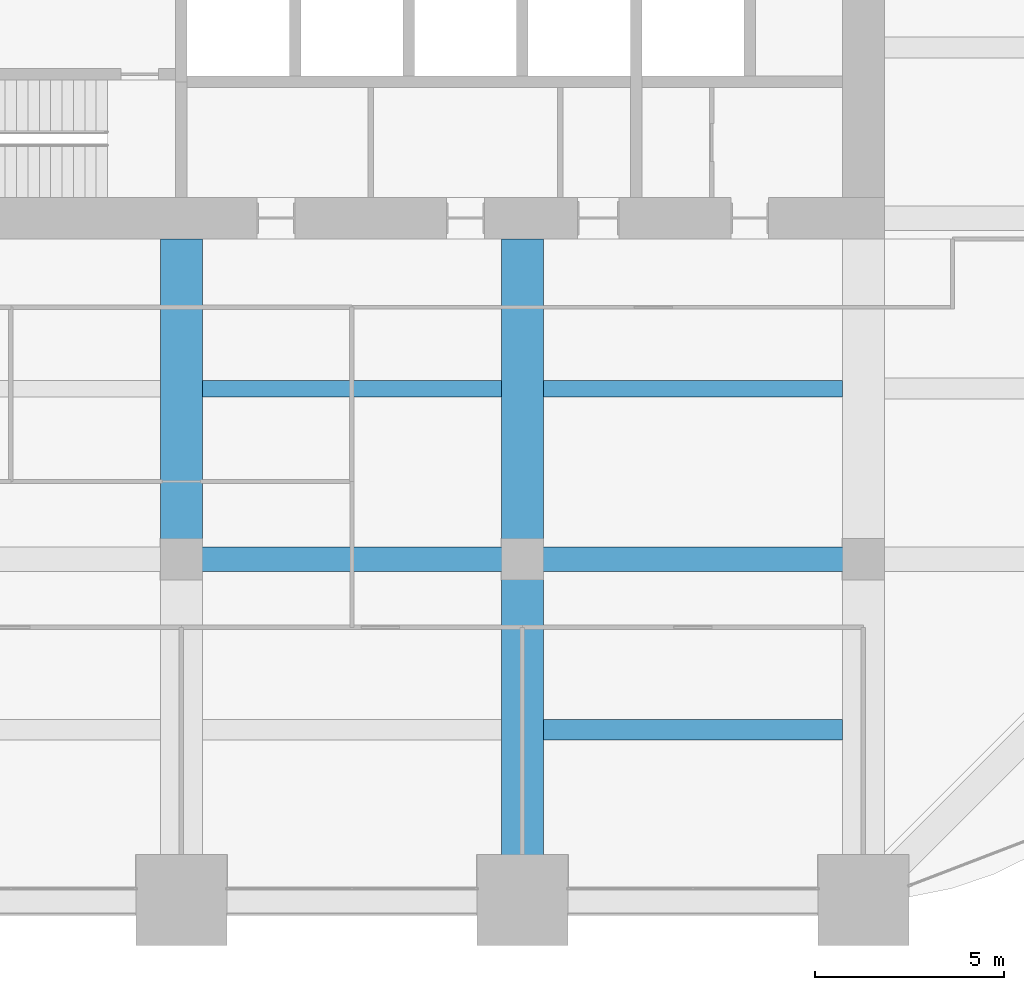
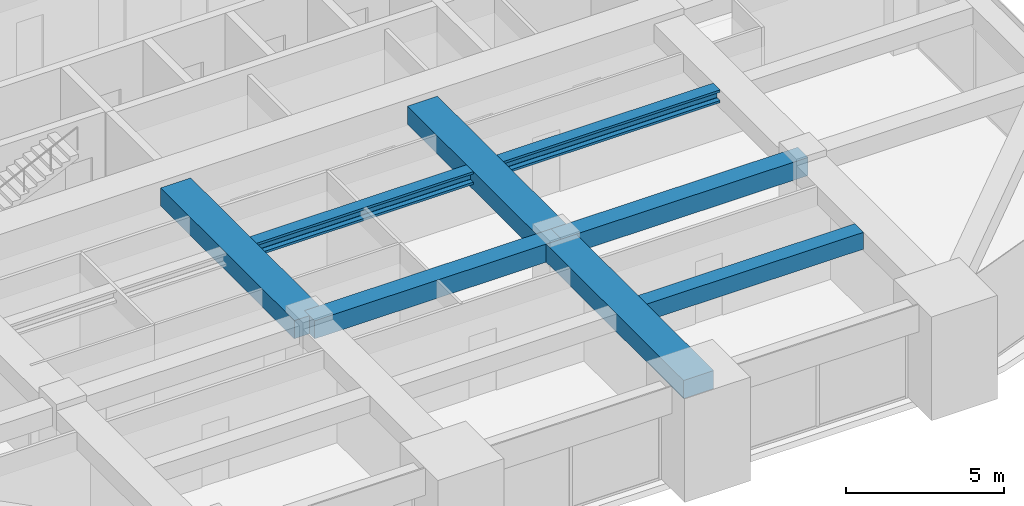
# One storey, part 12 of 45: 8 beams.
"""IFC4 building model written with IfcOpenShell, lengths in metres."""

import ifcopenshell
import ifcopenshell.guid

model = None  # the IFC model being written
_history = None  # IfcOwnerHistory: only IFC2X3 demands one
_inside = {}  # id of a spatial element -> (the spatial element, [elements in it])
_under = {}  # id of a project, library or spatial element -> (it, [spatial elements below it])
_declared = {}  # id of a project -> (the project, [libraries it declares])
_typed = {}  # id of a type object -> (the type object, [elements of that type])
_made_of = {}  # id of a material, layer set ... -> (it, [elements and type objects made of it])


def new_model(schema):
    """Start an empty IFC model of exactly this schema.

    Asked for "IFC4X3", IfcOpenShell would pick the latest addendum, in which some entities
    have other attributes; the version numbers below select the first issue.
    IFC2X3 requires an IfcOwnerHistory on every rooted entity: one is made here for all.
    """
    global model, _history
    if schema == "IFC4X3":
        model = ifcopenshell.file(schema_version=(4, 3, 0, 0))
    else:
        model = ifcopenshell.file(schema=schema)
    _inside.clear()
    _under.clear()
    _declared.clear()
    _typed.clear()
    _made_of.clear()
    _history = None
    if model.schema == "IFC2X3":
        org = make("IfcOrganization", Name="unknown")
        user = make(
            "IfcPersonAndOrganization",
            ThePerson=make("IfcPerson", FamilyName="unknown"),
            TheOrganization=org,
        )
        app = make(
            "IfcApplication",
            ApplicationDeveloper=org,
            Version="unknown",
            ApplicationFullName="unknown",
            ApplicationIdentifier="unknown",
        )
        _history = make(
            "IfcOwnerHistory",
            OwningUser=user,
            OwningApplication=app,
            ChangeAction="ADDED",
            CreationDate=0,
        )
    return model


def make(cls, **values):
    """One entity of the class cls with the attributes given. An attribute that is None is left unset."""
    return model.create_entity(
        cls, **{name: value for name, value in values.items() if value is not None}
    )


def rooted(cls, **values):
    """An entity with a GlobalId (a new one), such as an element, a storey or a relation."""
    return make(cls, GlobalId=ifcopenshell.guid.new(), OwnerHistory=_history, **values)


def si_unit(unit_type, name, prefix=None):
    """IfcSIUnit, for example si_unit("LENGTHUNIT", "METRE", prefix="MILLI")."""
    return make("IfcSIUnit", UnitType=unit_type, Prefix=prefix, Name=name)


def assignment(units):
    """IfcUnitAssignment: the units of a project."""
    return None if units is None else make("IfcUnitAssignment", Units=units)


def point(xyz):
    """IfcCartesianPoint."""
    return None if xyz is None else make("IfcCartesianPoint", Coordinates=xyz)


def direction(xyz):
    """IfcDirection."""
    return None if xyz is None else make("IfcDirection", DirectionRatios=xyz)


def frame(location, z_axis=None, x_axis=None):
    """IfcAxis2Placement3D, a coordinate frame: its origin and axes. An axis left out is left unset."""
    return make(
        "IfcAxis2Placement3D",
        Location=point(location),
        Axis=direction(z_axis),
        RefDirection=direction(x_axis),
    )


def frame_2d(location, x_axis=None):
    """IfcAxis2Placement2D, a coordinate frame in the plane: its origin and x axis."""
    return make(
        "IfcAxis2Placement2D", Location=point(location), RefDirection=direction(x_axis)
    )


def origin():
    """The frame at (0, 0, 0) with its axes left unset."""
    return frame((0.0, 0.0, 0.0))


def origin_2d():
    """The frame at (0, 0) in the plane with its x axis left unset."""
    return frame_2d((0.0, 0.0))


def place(relative_to, where):
    """IfcLocalPlacement: puts the frame where relative to a parent placement (None: the world)."""
    return make(
        "IfcLocalPlacement", PlacementRelTo=relative_to, RelativePlacement=where
    )


def context(
    kind, dimensions, precision=None, world=None, true_north=None, identifier=None
):
    """IfcGeometricRepresentationContext, for example the 3D "Model" context."""
    return make(
        "IfcGeometricRepresentationContext",
        ContextIdentifier=identifier,
        ContextType=kind,
        CoordinateSpaceDimension=dimensions,
        Precision=precision,
        WorldCoordinateSystem=world,
        TrueNorth=true_north,
    )


def subcontext(parent, identifier, kind, view, scale=None):
    """IfcGeometricRepresentationSubContext, for example "Body" below "Model"."""
    return make(
        "IfcGeometricRepresentationSubContext",
        ContextIdentifier=identifier,
        ContextType=kind,
        ParentContext=parent,
        TargetScale=scale,
        TargetView=view,
    )


def project(units=None, contexts=None):
    """IfcProject with its units and contexts."""
    return rooted(
        "IfcProject",
        Name="project",
        RepresentationContexts=contexts,
        UnitsInContext=assignment(units),
    )


def spatial(cls, under=None, at=None, **own):
    """A site, building, storey or space (cls), placed at a placement, below another one or the project."""
    s = rooted(cls, ObjectPlacement=at, **own)
    if under is not None:
        _under.setdefault(under.id(), (under, []))[1].append(s)
    return s


def profile(cls, at=None, kind="AREA", **sizes):
    """A parametric profile (cls). Its sizes go by their IFC names, for example OverallWidth=200.0."""
    return make(cls, ProfileType=kind, Position=at, **sizes)


def rectangle(**sizes):
    """IfcRectangleProfileDef."""
    return profile("IfcRectangleProfileDef", **sizes)


def i_section(**sizes):
    """IfcIShapeProfileDef."""
    return profile("IfcIShapeProfileDef", **sizes)


def extrude(swept, where, along, depth):
    """IfcExtrudedAreaSolid: the profile swept, set in the frame where, extruded along a direction by depth."""
    return make(
        "IfcExtrudedAreaSolid",
        SweptArea=swept,
        Position=where,
        ExtrudedDirection=direction(along),
        Depth=depth,
    )


def shape(context_of_items, identifier, shape_type, items):
    """IfcShapeRepresentation: the items that make up one representation, for example the "Body"."""
    return make(
        "IfcShapeRepresentation",
        ContextOfItems=context_of_items,
        RepresentationIdentifier=identifier,
        RepresentationType=shape_type,
        Items=items,
    )


def material(Name=None, Category=None):
    """IfcMaterial."""
    return make("IfcMaterial", Name=Name, Category=Category)


def material_profile(
    of_material, cross_section, Name=None, Category=None, Priority=None
):
    """IfcMaterialProfile: a cross section and its material."""
    return make(
        "IfcMaterialProfile",
        Name=Name,
        Material=of_material,
        Profile=cross_section,
        Priority=Priority,
        Category=Category,
    )


def profile_set(profiles, Name=None, composite=None):
    """IfcMaterialProfileSet."""
    return make(
        "IfcMaterialProfileSet",
        Name=Name,
        MaterialProfiles=profiles,
        CompositeProfile=composite,
    )


def made_of(thing, what):
    """Note that an element or type object is made of a material, layer set ...; save() writes the relation."""
    if what is not None:
        _made_of.setdefault(what.id(), (what, []))[1].append(thing)
    return thing


def type_object(cls, material=None, **own):
    """A type object (cls), such as IfcWallType, which elements share."""
    return made_of(rooted(cls, **own), material)


def element(
    cls,
    number,
    at=None,
    inside=None,
    cuts=None,
    type_object=None,
    material=None,
    context=None,
    identifier="Body",
    shape_type=None,
    held_by="IfcProductDefinitionShape",
    body=None,
    shapes=None,
    **own,
):
    """One element of the class cls, such as IfcWall. Its Tag is "e" and its number.

    at: its placement. inside: the storey or other place that contains it. cuts: it is an
    opening in that element (IfcRelVoidsElement). A single representation is given by context,
    identifier, shape_type and body (its items); several are given by shapes. held_by: the class
    of the entity that holds the representations. save() writes the other relations.
    """
    e = rooted(cls, Tag="e%d" % number, ObjectPlacement=at, **own)
    if body is not None:
        shapes = [shape(context, identifier, shape_type, body)]
    if shapes is not None:
        e.Representation = make(held_by, Representations=shapes)
    if inside is not None:
        _inside.setdefault(inside.id(), (inside, []))[1].append(e)
    if cuts is not None:
        rooted(
            "IfcRelVoidsElement", RelatingBuildingElement=cuts, RelatedOpeningElement=e
        )
    if type_object is not None:
        _typed.setdefault(type_object.id(), (type_object, []))[1].append(e)
    return made_of(e, material)


def aggregate(whole, parts):
    """IfcRelAggregates: a whole, such as a stair, and the parts it consists of."""
    return rooted("IfcRelAggregates", RelatingObject=whole, RelatedObjects=parts)


def save(model, path):
    """Write the relations noted so far, then the file.

    IfcRelAggregates (storeys below a building ...), IfcRelContainedInSpatialStructure (elements
    in a storey), IfcRelDefinesByType, IfcRelAssociatesMaterial and IfcRelDeclares: one each for
    every whole, place, type object, material and project.
    """
    for whole, parts in _under.values():
        aggregate(whole, parts)
    for where, things in _inside.values():
        rooted(
            "IfcRelContainedInSpatialStructure",
            RelatedElements=things,
            RelatingStructure=where,
        )
    for kind, things in _typed.values():
        rooted("IfcRelDefinesByType", RelatedObjects=things, RelatingType=kind)
    for what, things in _made_of.values():
        rooted("IfcRelAssociatesMaterial", RelatedObjects=things, RelatingMaterial=what)
    for by, libraries in _declared.values():
        rooted("IfcRelDeclares", RelatingContext=by, RelatedDefinitions=libraries)
    model.write(path)


model = new_model("IFC4")

# Units and contexts
model_context = context("Model", 3, precision=1e-05, world=origin(), true_north=direction((0.0, 1.0)))
body_context = subcontext(model_context, "Body", "Model", "MODEL_VIEW")
ifc_project = project(units=[si_unit("LENGTHUNIT", "METRE"), si_unit("AREAUNIT", "SQUARE_METRE"), si_unit("VOLUMEUNIT", "CUBIC_METRE"), si_unit("PLANEANGLEUNIT", "RADIAN"), si_unit("MASSUNIT", "GRAM", prefix="KILO")], contexts=[model_context])

# Site, building, storey
site_placement = place(None, origin())
site = spatial("IfcSite", under=ifc_project, at=site_placement, CompositionType="ELEMENT")
building_placement = place(site_placement, origin())
building = spatial("IfcBuilding", under=site, at=building_placement, Name="Zorevar Civic Tower", CompositionType="ELEMENT")
storey_placement = place(building_placement, frame((0.0, 0.0, 247.39990234375)))
storey = spatial("IfcBuildingStorey", under=building, at=storey_placement, Name="L60", CompositionType="ELEMENT", Elevation=247.39990234375)

# Beams
ifc_material_1 = material(Name="Concrete C50/60", Category="concrete")
ifc_material_profile_1 = material_profile(ifc_material_1, rectangle(XDim=1.10009765625, YDim=0.699951171875, at=origin_2d()), Name="RC 1100x700")
ifc_profile_set_1 = profile_set([ifc_material_profile_1], Name="Concrete C50/60")
beam_type_1 = type_object("IfcBeamType", Name="Beam RC 1100x700", PredefinedType="BEAM", material=ifc_profile_set_1)
beam_1_placement = place(storey_placement, frame((27.0, 9.0, 3.400146484375), z_axis=(0.0, 1.0, 0.0), x_axis=(-1.0, 0.0, 0.0)))
element("IfcBeam", 1, at=beam_1_placement, inside=storey, type_object=beam_type_1, Name="Girder L61", PredefinedType="BEAM", context=body_context, shape_type="SweptSolid", body=[
    extrude(rectangle(XDim=1.10009765625, YDim=0.699951171875, at=origin_2d()), origin(), (0.0, 0.0, 1.0), 8.449951171875),
])
beam_2_placement = place(storey_placement, frame((36.0, 0.0, 3.400146484375), z_axis=(0.0, 1.0, 0.0), x_axis=(-1.0, 0.0, 0.0)))
element("IfcBeam", 2, at=beam_2_placement, inside=storey, type_object=beam_type_1, Name="Girder L61", PredefinedType="BEAM", context=body_context, shape_type="SweptSolid", body=[
    extrude(rectangle(XDim=1.10009765625, YDim=0.699951171875, at=origin_2d()), origin(), (0.0, 0.0, 1.0), 9.0),
])
beam_3_placement = place(storey_placement, frame((36.0, 9.0, 3.400146484375), z_axis=(0.0, 1.0, 0.0), x_axis=(-1.0, 0.0, 0.0)))
element("IfcBeam", 3, at=beam_3_placement, inside=storey, type_object=beam_type_1, Name="Girder L61", PredefinedType="BEAM", context=body_context, shape_type="SweptSolid", body=[
    extrude(rectangle(XDim=1.10009765625, YDim=0.699951171875, at=origin_2d()), origin(), (0.0, 0.0, 1.0), 8.449951171875),
])
ifc_material_2 = material(Name="Concrete C50/60", Category="concrete")
ifc_material_profile_2 = material_profile(ifc_material_2, rectangle(XDim=0.550048828125, YDim=0.64990234375, at=origin_2d()), Name="RC 550x650")
ifc_profile_set_2 = profile_set([ifc_material_profile_2], Name="Concrete C50/60")
beam_type_2 = type_object("IfcBeamType", Name="Beam RC 550x650", PredefinedType="BEAM", material=ifc_profile_set_2)
beam_4_placement = place(storey_placement, frame((36.550048828125, 4.5, 3.425048828125), z_axis=(1.0, 0.0, 0.0), x_axis=(0.0, 1.0, 0.0)))
element("IfcBeam", 4, at=beam_4_placement, inside=storey, type_object=beam_type_2, Name="Secondary beam L61", PredefinedType="BEAM", context=body_context, shape_type="SweptSolid", body=[
    extrude(rectangle(XDim=0.550048828125, YDim=0.64990234375, at=origin_2d()), origin(), (0.0, 0.0, 1.0), 7.89990234375),
])
ifc_material_3 = material(Name="Concrete C50/60", Category="concrete")
ifc_material_profile_3 = material_profile(ifc_material_3, rectangle(XDim=0.64990234375, YDim=0.699951171875, at=origin_2d()), Name="RC 650x700")
ifc_profile_set_3 = profile_set([ifc_material_profile_3], Name="Concrete C50/60")
beam_type_3 = type_object("IfcBeamType", Name="Beam RC 650x700", PredefinedType="BEAM", material=ifc_profile_set_3)
for number, where, z_axis, x_axis, name in (
    (5, (27.0, 9.0, 3.400146484375), (1.0, 0.0, 0.0), (0.0, 1.0, 0.0), "Girder L61"),
    (6, (36.0, 9.0, 3.400146484375), (1.0, 0.0, 0.0), (0.0, 1.0, 0.0), "Girder L61"),
):
    element("IfcBeam", number, at=place(storey_placement, frame(where, z_axis=z_axis, x_axis=x_axis)), inside=storey, type_object=beam_type_3, Name=name, PredefinedType="BEAM", context=body_context, shape_type="SweptSolid", body=[
        extrude(rectangle(XDim=0.64990234375, YDim=0.699951171875, at=origin_2d()), origin(), (0.0, 0.0, 1.0), 9.0),
    ])
ifc_material_4 = material(Name="Steel S460M (HISTAR 460)", Category="steel")
ifc_material_profile_4 = material_profile(ifc_material_4, i_section(OverallWidth=0.431884765625, OverallDepth=0.498046875, WebThickness=0.0556640625, FlangeThickness=0.0888671875, FilletRadius=0.014892578125, at=origin_2d()), Name="HD 400x744")
ifc_profile_set_4 = profile_set([ifc_material_profile_4], Name="Steel S460M (HISTAR 460)")
beam_type_4 = type_object("IfcBeamType", Name="Core bay beam HD 400x744", PredefinedType="BEAM", material=ifc_profile_set_4)
for number, where, z_axis, x_axis, name in (
    (7, (27.550048828125, 13.5, 3.5009765625), (1.0, 0.0, 0.0), (0.0, 1.0, 0.0), "Secondary beam L61"),
    (8, (36.550048828125, 13.5, 3.5009765625), (1.0, 0.0, 0.0), (0.0, 1.0, 0.0), "Secondary beam L61"),
):
    element("IfcBeam", number, at=place(storey_placement, frame(where, z_axis=z_axis, x_axis=x_axis)), inside=storey, type_object=beam_type_4, Name=name, PredefinedType="BEAM", context=body_context, shape_type="SweptSolid", body=[
        extrude(i_section(OverallWidth=0.431884765625, OverallDepth=0.498046875, WebThickness=0.0556640625, FlangeThickness=0.0888671875, FilletRadius=0.014892578125, at=origin_2d()), origin(), (0.0, 0.0, 1.0), 7.89990234375),
    ])

save(model, "model.ifc")
